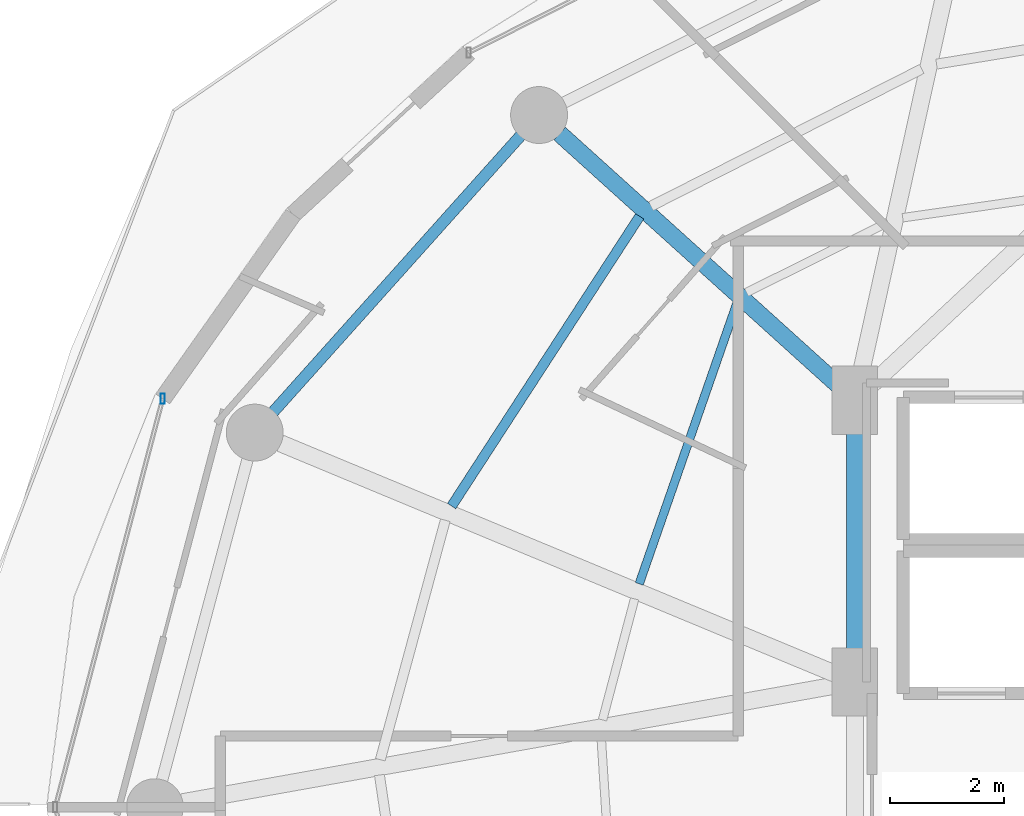
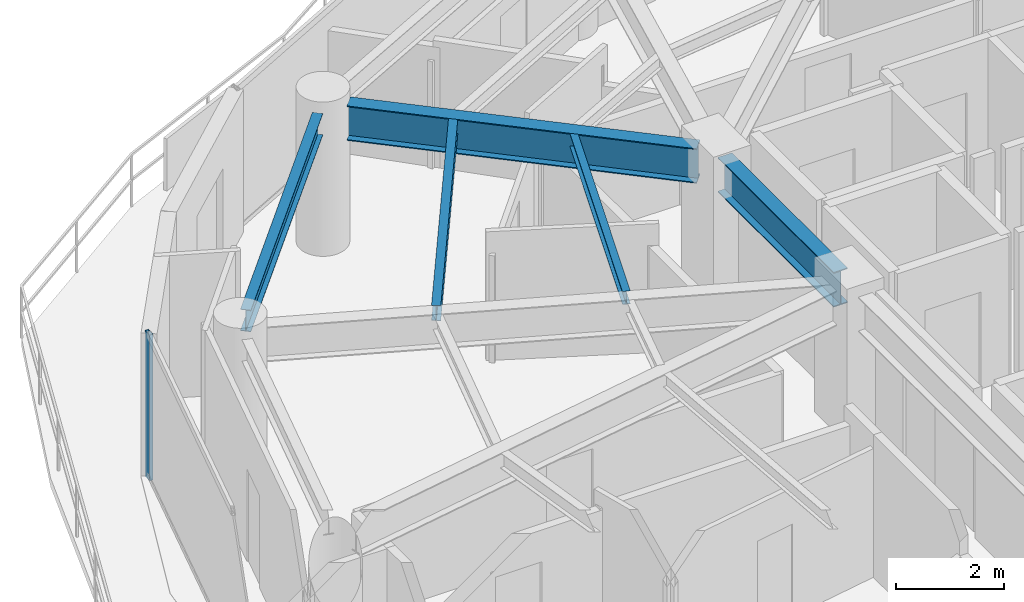
# One storey, part 9 of 31: 5 beams, 1 member, 1 element without a shape of its own.
"""IFC4 building model written with IfcOpenShell, lengths in metres."""

from ifc_helpers import new_model, si_unit, direction, frame, origin, origin_2d, place, context, subcontext, project, spatial, hollow_rectangle, i_section, extrude, material, material_profile, profile_set, type_object, element, aggregate, save


model = new_model("IFC4")

# Units and contexts
model_context = context("Model", 3, precision=1e-05, world=origin(), true_north=direction((0.0, 1.0)))
body_context = subcontext(model_context, "Body", "Model", "MODEL_VIEW")
ifc_project = project(units=[si_unit("LENGTHUNIT", "METRE"), si_unit("AREAUNIT", "SQUARE_METRE"), si_unit("VOLUMEUNIT", "CUBIC_METRE"), si_unit("PLANEANGLEUNIT", "RADIAN"), si_unit("MASSUNIT", "GRAM", prefix="KILO")], contexts=[model_context])

# Site, building, storey
site_placement = place(None, origin())
site = spatial("IfcSite", under=ifc_project, at=site_placement, CompositionType="ELEMENT")
building_placement = place(site_placement, origin())
building = spatial("IfcBuilding", under=site, at=building_placement, Name="Vorneva Point Tower", CompositionType="ELEMENT")
storey_placement = place(building_placement, frame((0.0, 0.0, 132.60009765625)))
storey = spatial("IfcBuildingStorey", under=building, at=storey_placement, Name="L35", CompositionType="ELEMENT", Elevation=132.60009765625)

# Beams
ifc_material_1 = material(Name="Steel S355", Category="steel")
ifc_material_profile_1 = material_profile(ifc_material_1, i_section(OverallWidth=0.300048828125, OverallDepth=0.7880859375, WebThickness=0.014404296875, FlangeThickness=0.02197265625, at=origin_2d()), Name="80Sh1")
ifc_profile_set_1 = profile_set([ifc_material_profile_1], Name="Steel S355")
beam_type_1 = type_object("IfcBeamType", Name="BM-GRD-80Sh1", PredefinedType="USERDEFINED", material=ifc_profile_set_1)
beam_1_placement = place(storey_placement, frame((22.063232421875, 37.835205078125, 2.845947265625), z_axis=(0.742084379637, -0.670306477292, 0.0), x_axis=(0.670306477292, 0.742084379637, 0.0)))
element("IfcBeam", 1, at=beam_1_placement, inside=storey, type_object=beam_type_1, Name="L35 Radial Primary Girder 07", ObjectType="GIRDER", PredefinedType="USERDEFINED", context=body_context, shape_type="SweptSolid", body=[
    extrude(i_section(OverallWidth=0.300048828125, OverallDepth=0.7880859375, WebThickness=0.014404296875, FlangeThickness=0.02197265625, at=origin_2d()), origin(), (0.0, 0.0, 1.0), 6.649658203125),
])
beam_2_placement = place(storey_placement, frame((27.25, 28.52001953125, 2.845947265625), z_axis=(0.0, 1.0, 0.0), x_axis=(-1.0, 0.0, 0.0)))
element("IfcBeam", 2, at=beam_2_placement, inside=storey, type_object=beam_type_1, Name="L35 Core Tie Girder CT2", ObjectType="GIRDER", PredefinedType="USERDEFINED", context=body_context, shape_type="SweptSolid", body=[
    extrude(i_section(OverallWidth=0.300048828125, OverallDepth=0.7880859375, WebThickness=0.014404296875, FlangeThickness=0.02197265625, at=origin_2d()), origin(), (0.0, 0.0, 1.0), 4.31005859375),
])
ifc_material_profile_2 = material_profile(ifc_material_1, i_section(OverallWidth=0.14892578125, OverallDepth=0.298095703125, WebThickness=0.005615234375, FlangeThickness=0.008056640625, at=origin_2d()), Name="30B1")
ifc_profile_set_2 = profile_set([ifc_material_profile_2], Name="Steel S355")
beam_type_2 = type_object("IfcBeamType", Name="BM-JST-30B1", PredefinedType="JOIST", material=ifc_profile_set_2)
beam_3_placement = place(storey_placement, frame((25.17578125, 34.852294921875, 3.0908203125), z_axis=(-0.328761958151, -0.944412820155, 0.0), x_axis=(0.944412820155, -0.328761958151, 0.0)))
element("IfcBeam", 3, at=beam_3_placement, inside=storey, type_object=beam_type_2, Name="L35 Secondary Floor Beam 2.07", PredefinedType="JOIST", context=body_context, shape_type="SweptSolid", body=[
    extrude(i_section(OverallWidth=0.14892578125, OverallDepth=0.298095703125, WebThickness=0.005615234375, FlangeThickness=0.008056640625, at=origin_2d()), origin(), (0.0, 0.0, 1.0), 5.21826171875),
])
ifc_material_profile_3 = material_profile(ifc_material_1, i_section(OverallWidth=0.174072265625, OverallDepth=0.345947265625, WebThickness=0.006103515625, FlangeThickness=0.009033203125, at=origin_2d()), Name="35B1")
ifc_profile_set_3 = profile_set([ifc_material_profile_3], Name="Steel S355")
beam_type_3 = type_object("IfcBeamType", Name="BM-SEC-35B1", PredefinedType="BEAM", material=ifc_profile_set_3)
beam_4_placement = place(storey_placement, frame((23.468505859375, 36.382080078125, 3.06689453125), z_axis=(-0.544400002832, -0.83882574884, 0.0), x_axis=(0.83882574884, -0.544400002832, 0.0)))
element("IfcBeam", 4, at=beam_4_placement, inside=storey, type_object=beam_type_3, Name="L35 Secondary Floor Beam 1.07", PredefinedType="BEAM", context=body_context, shape_type="SweptSolid", body=[
    extrude(i_section(OverallWidth=0.174072265625, OverallDepth=0.345947265625, WebThickness=0.006103515625, FlangeThickness=0.009033203125, at=origin_2d()), origin(), (0.0, 0.0, 1.0), 6.069091796875),
])
ifc_material_profile_4 = material_profile(ifc_material_1, i_section(OverallWidth=0.199951171875, OverallDepth=0.491943359375, WebThickness=0.0087890625, FlangeThickness=0.011962890625, at=origin_2d()), Name="50B1")
ifc_profile_set_4 = profile_set([ifc_material_profile_4], Name="Steel S355")
beam_type_4 = type_object("IfcBeamType", Name="BM-SPN-50B1", PredefinedType="SPANDREL", material=ifc_profile_set_4)
beam_5_placement = place(storey_placement, frame((21.377685546875, 37.80078125, 2.993896484375), z_axis=(-0.667111118975, -0.74495822362, 0.0), x_axis=(0.74495822362, -0.667111118975, 0.0)))
element("IfcBeam", 5, at=beam_5_placement, inside=storey, type_object=beam_type_4, Name="L35 Perimeter Spandrel Ring Beam 07", PredefinedType="SPANDREL", context=body_context, shape_type="SweptSolid", body=[
    extrude(i_section(OverallWidth=0.199951171875, OverallDepth=0.491943359375, WebThickness=0.0087890625, FlangeThickness=0.011962890625, at=origin_2d()), origin(), (0.0, 0.0, 1.0), 6.52001953125),
])

# Curtain wall, member
ifc_material_2 = material(Name="Pale anodised aluminium", Category="aluminium")
curtain_wall_type = type_object("IfcCurtainWallType", Name="CW-RES-SYS", PredefinedType="NOTDEFINED", material=ifc_material_2)
curtain_wall_placement = place(storey_placement, origin())
curtain_wall = element("IfcCurtainWall", 6, at=curtain_wall_placement, inside=storey, type_object=curtain_wall_type, Name="L35 Unitised Curtain Wall CW-L35-R03", PredefinedType="NOTDEFINED")
ifc_material_profile_5 = material_profile(ifc_material_2, hollow_rectangle(XDim=0.074951171875, YDim=0.179931640625, WallThickness=0.00390625, at=origin_2d()), Name="AL-MUL 180x75x4")
ifc_profile_set_5 = profile_set([ifc_material_profile_5], Name="Pale anodised aluminium")
member_type = type_object("IfcMemberType", Name="CW-MUL-180", PredefinedType="MULLION", material=ifc_profile_set_5)
member_placement = place(storey_placement, frame((15.087890625, 33.17529296875, -0.0400390625), z_axis=(0.0, 0.0, 1.0), x_axis=(1.0, 0.0, 0.0)))
member = element("IfcMember", 7, at=member_placement, type_object=member_type, Name="CW-L35-R03 Mullion 01", PredefinedType="MULLION", context=body_context, shape_type="SweptSolid", body=[
    extrude(hollow_rectangle(XDim=0.074951171875, YDim=0.179931640625, WallThickness=0.00390625, at=origin_2d()), origin(), (0.0, 0.0, 1.0), 3.31005859375),
])
aggregate(curtain_wall, [member])

save(model, "model.ifc")
